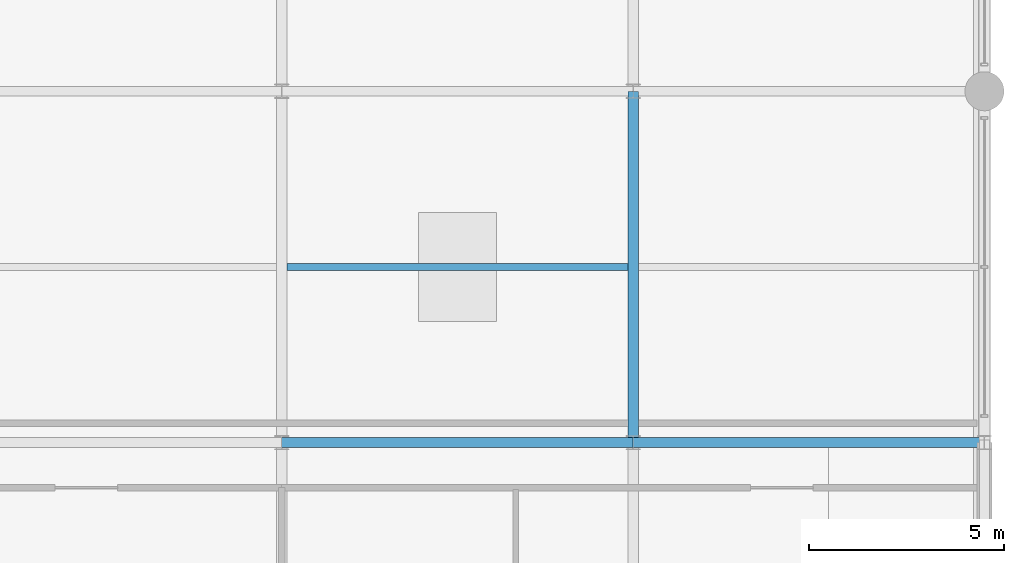
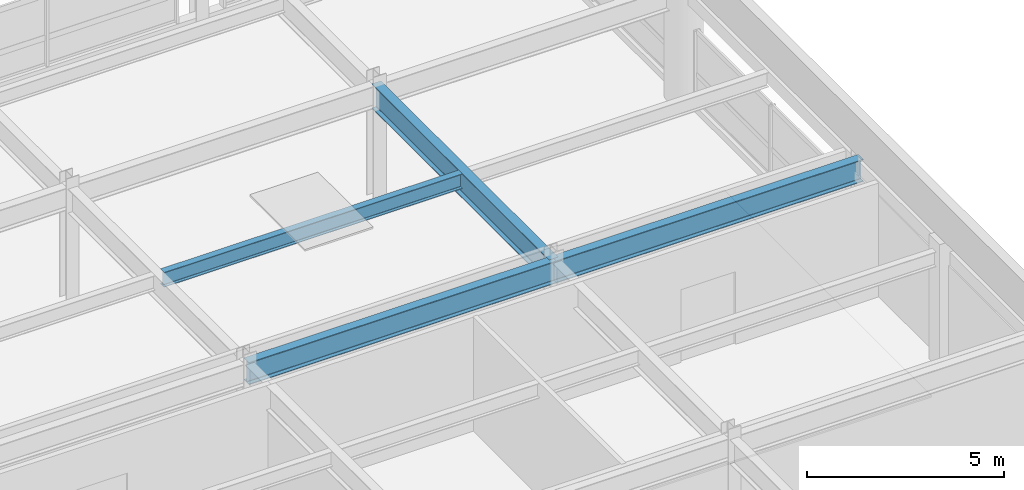
# One storey, part 55 of 108: 4 beams.
"""IFC4 building model written with IfcOpenShell, lengths in metres."""

from ifc_helpers import new_model, si_unit, direction, frame, origin, origin_2d, place, context, subcontext, project, spatial, i_section, extrude, material, material_profile, profile_set, type_object, element, save


model = new_model("IFC4")

# Units and contexts
model_context = context("Model", 3, precision=1e-05, world=origin(), true_north=direction((0.0, 1.0)))
body_context = subcontext(model_context, "Body", "Model", "MODEL_VIEW")
ifc_project = project(units=[si_unit("LENGTHUNIT", "METRE"), si_unit("AREAUNIT", "SQUARE_METRE"), si_unit("VOLUMEUNIT", "CUBIC_METRE"), si_unit("PLANEANGLEUNIT", "RADIAN"), si_unit("MASSUNIT", "GRAM", prefix="KILO")], contexts=[model_context])

# Site, building, storey
site_placement = place(None, origin())
site = spatial("IfcSite", under=ifc_project, at=site_placement, CompositionType="ELEMENT")
building_placement = place(site_placement, origin())
building = spatial("IfcBuilding", under=site, at=building_placement, Name="Kaldorvane Square Convention Centre", CompositionType="ELEMENT")
storey_placement = place(building_placement, frame((0.0, 0.0, 23.399993896484375)))
storey = spatial("IfcBuildingStorey", under=building, at=storey_placement, Name="L04", CompositionType="ELEMENT", Elevation=23.399993896484375)

# Beams
ifc_material = material(Name="Steel ASTM A992 Gr. 50", Category="steel")
ifc_material_profile_1 = material_profile(ifc_material, i_section(OverallWidth=0.25439453125, OverallDepth=0.6880950927734375, WebThickness=0.0131072998046875, FlangeThickness=0.0211029052734375, FilletRadius=0.01519775390625, at=origin_2d()), Name="W27X102")
ifc_profile_set_1 = profile_set([ifc_material_profile_1], Name="Steel ASTM A992 Gr. 50")
beam_type_1 = type_object("IfcBeamType", Name="BM-GR-W27X102", PredefinedType="BEAM", material=ifc_profile_set_1)
for number, where, z_axis, x_axis, name in (
    (1, (156.0, 18.0, 3.1819000244140625), (1.0, 0.0, 0.0), (0.0, 1.0, 0.0), "Primary Girder (L04)"),
    (2, (165.0, 18.0, 3.1819000244140625), (1.0, 0.0, 0.0), (0.0, 1.0, 0.0), "Primary Girder (L04)"),
):
    element("IfcBeam", number, at=place(storey_placement, frame(where, z_axis=z_axis, x_axis=x_axis)), inside=storey, type_object=beam_type_1, Name=name, PredefinedType="BEAM", context=body_context, shape_type="SweptSolid", body=[
        extrude(i_section(OverallWidth=0.25439453125, OverallDepth=0.6880950927734375, WebThickness=0.0131072998046875, FlangeThickness=0.0211029052734375, FilletRadius=0.01519775390625, at=origin_2d()), origin(), (0.0, 0.0, 1.0), 9.0),
    ])
ifc_material_profile_2 = material_profile(ifc_material, i_section(OverallWidth=0.2666015625, OverallDepth=0.762298583984375, WebThickness=0.014404296875, FlangeThickness=0.0216064453125, FilletRadius=0.0164947509765625, at=origin_2d()), Name="W30X116")
ifc_profile_set_2 = profile_set([ifc_material_profile_2], Name="Steel ASTM A992 Gr. 50")
beam_type_2 = type_object("IfcBeamType", Name="BM-GR-W30X116", PredefinedType="BEAM", material=ifc_profile_set_2)
beam_1_placement = place(storey_placement, frame((165.0, 18.0, 3.144805908203125), z_axis=(0.0, 1.0, 0.0), x_axis=(-1.0, 0.0, 0.0)))
element("IfcBeam", 3, at=beam_1_placement, inside=storey, type_object=beam_type_2, Name="Transverse Girder (L04)", PredefinedType="BEAM", context=body_context, shape_type="SweptSolid", body=[
    extrude(i_section(OverallWidth=0.2666015625, OverallDepth=0.762298583984375, WebThickness=0.014404296875, FlangeThickness=0.0216064453125, FilletRadius=0.0164947509765625, at=origin_2d()), origin(), (0.0, 0.0, 1.0), 9.0),
])
ifc_material_profile_3 = material_profile(ifc_material, i_section(OverallWidth=0.1912994384765625, OverallDepth=0.4600067138671875, WebThickness=0.0099029541015625, FlangeThickness=0.0160064697265625, FilletRadius=0.01019287109375, at=origin_2d()), Name="W18X55")
ifc_profile_set_3 = profile_set([ifc_material_profile_3], Name="Steel ASTM A992 Gr. 50")
beam_type_3 = type_object("IfcBeamType", Name="BM-JS-W18X55", PredefinedType="JOIST", material=ifc_profile_set_3)
beam_2_placement = place(storey_placement, frame((156.13330078125, 22.5, 3.2960052490234375), z_axis=(1.0, 0.0, 0.0), x_axis=(0.0, 1.0, 0.0)))
element("IfcBeam", 4, at=beam_2_placement, inside=storey, type_object=beam_type_3, Name="Secondary Floor Joist (L04)", PredefinedType="JOIST", context=body_context, shape_type="SweptSolid", body=[
    extrude(i_section(OverallWidth=0.1912994384765625, OverallDepth=0.4600067138671875, WebThickness=0.0099029541015625, FlangeThickness=0.0160064697265625, FilletRadius=0.01019287109375, at=origin_2d()), origin(), (0.0, 0.0, 1.0), 8.7333984375),
])

save(model, "model.ifc")
